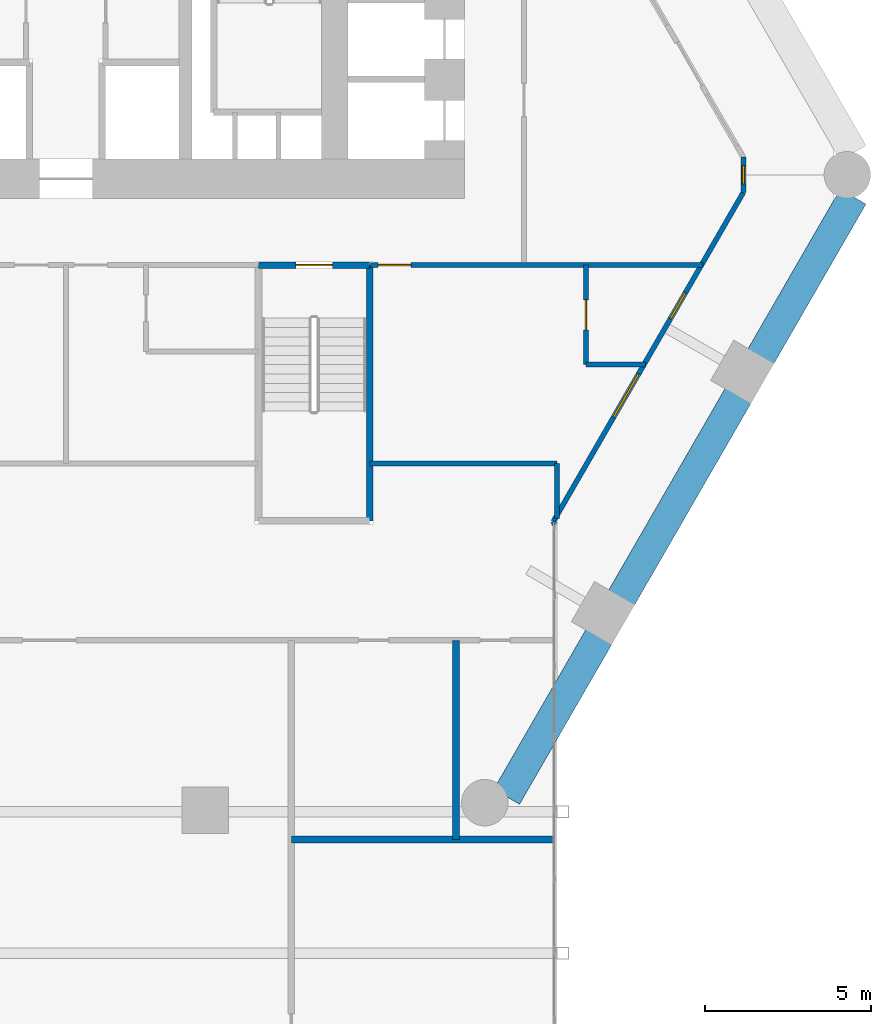
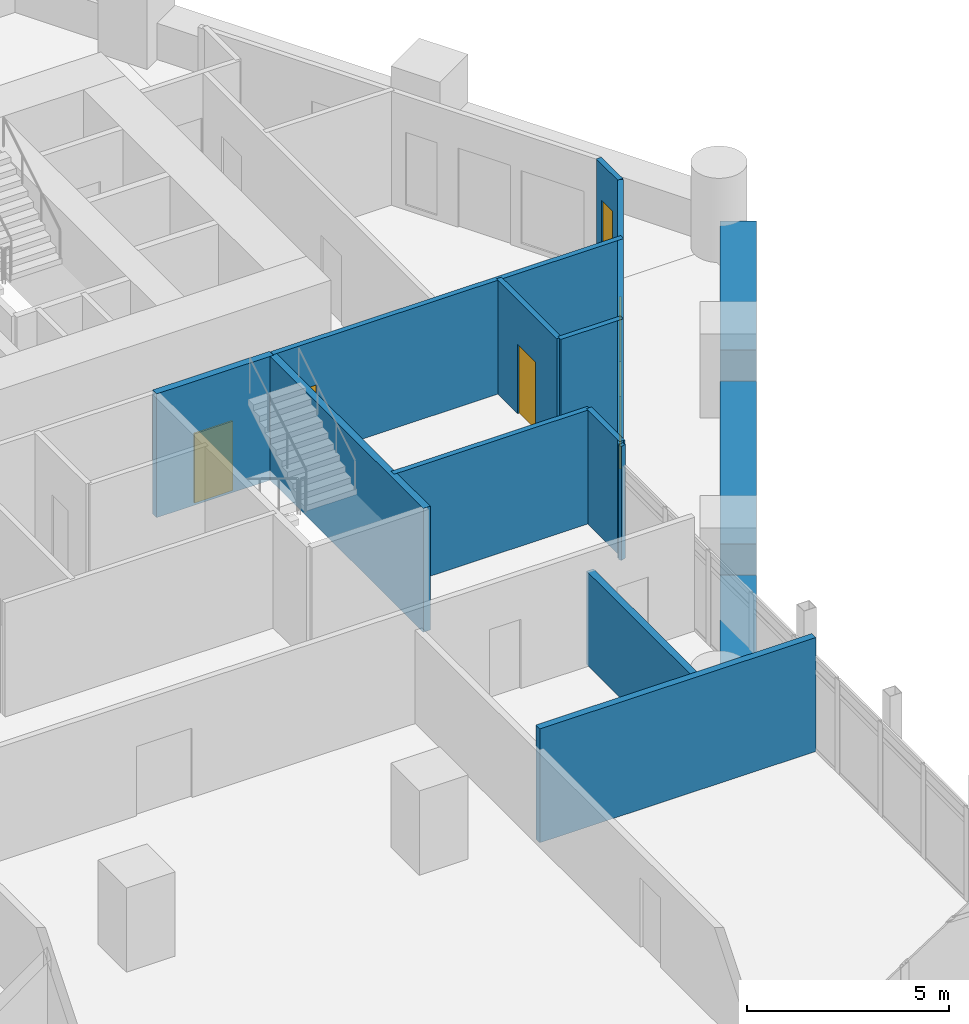
# One storey, part 24 of 28: 15 walls, 3 doors, 3 windows, 6 openings.
"""IFC4 building model written with IfcOpenShell, lengths in metres."""

from ifc_helpers import new_model, si_unit, direction, frame, frame_2d, origin, place, context, subcontext, project, spatial, rectangle, extrude, material, layer, layer_set, type_object, element, fill, save


model = new_model("IFC4")

# Units and contexts
model_context = context("Model", 3, precision=1e-05, world=origin(), true_north=direction((0.0, 1.0)))
body_context = subcontext(model_context, "Body", "Model", "MODEL_VIEW")
ifc_project = project(units=[si_unit("LENGTHUNIT", "METRE"), si_unit("AREAUNIT", "SQUARE_METRE"), si_unit("VOLUMEUNIT", "CUBIC_METRE"), si_unit("PLANEANGLEUNIT", "RADIAN"), si_unit("MASSUNIT", "GRAM", prefix="KILO")], contexts=[model_context])

# Site, building, storey
site_placement = place(None, origin())
site = spatial("IfcSite", under=ifc_project, at=site_placement, CompositionType="ELEMENT")
building_placement = place(site_placement, origin())
building = spatial("IfcBuilding", under=site, at=building_placement, Name="Ostrander Bayou Hotel Tower", CompositionType="ELEMENT")
storey_placement = place(building_placement, frame((0.0, 0.0, 76.75)))
storey = spatial("IfcBuildingStorey", under=building, at=storey_placement, Name="L19", CompositionType="ELEMENT", Elevation=76.75)

# Wall, openings, windows
ifc_material_1 = material(Name="Aluminium framed insulated wall", Category="aluminium")
ifc_layer_1 = layer(ifc_material_1, 0.14990234375)
ifc_layer_set_1 = layer_set([ifc_layer_1], Name="GW1 glass-line wall 150 mm")
wall_type_1 = type_object("IfcWallType", Name="GW1 glass-line wall 150 mm", PredefinedType="SOLIDWALL", material=ifc_layer_set_1)
wall_1_placement = place(storey_placement, frame((14.678955078125, -11.42529296875, 0.0), z_axis=(0.0, 0.0, 1.0), x_axis=(0.499991453095, 0.866030338286, 0.0)))
wall_1 = element("IfcWall", 1, at=wall_1_placement, inside=storey, type_object=wall_type_1, Name="GW1 L19 SE 1", PredefinedType="SOLIDWALL", context=body_context, shape_type="SweptSolid", body=[
    extrude(rectangle(XDim=11.444091796875, YDim=0.14990234375, at=frame_2d((5.72216796875, 0.0))), origin(), (0.0, 0.0, 1.0), 3.449951171875),
])
opening_1_placement = place(wall_1_placement, frame((3.63232421875, 0.0, 0.14990234375)))
opening_1 = element("IfcOpeningElement", 2, at=opening_1_placement, cuts=wall_1, Name="Opening W11", PredefinedType="OPENING", context=body_context, shape_type="SweptSolid", body=[
    extrude(rectangle(XDim=1.5, YDim=2.199951171875, at=frame_2d((0.75, 1.10009765625))), frame((0.0, 0.074951171875, 0.0), z_axis=(0.0, -1.0, 0.0), x_axis=(1.0, 0.0, 0.0)), (0.0, 0.0, 1.0), 0.14990234375),
])
opening_2_placement = place(wall_1_placement, frame((7.05517578125, 0.0, 0.14990234375)))
opening_2 = element("IfcOpeningElement", 3, at=opening_2_placement, cuts=wall_1, Name="Opening W15", PredefinedType="OPENING", context=body_context, shape_type="SweptSolid", body=[
    extrude(rectangle(XDim=0.89990234375, YDim=2.199951171875, at=frame_2d((0.449951171875, 1.10009765625))), frame((0.0, 0.074951171875, 0.0), z_axis=(0.0, -1.0, 0.0), x_axis=(1.0, 0.0, 0.0)), (0.0, 0.0, 1.0), 0.14990234375),
])
ifc_material_2 = material(Name="Aluminium and clear glass", Category="aluminium")
window_type_1 = type_object("IfcWindowType", Name="W11 fixed window 1500 mm, bath bay, zone 1", PartitioningType="SINGLE_PANEL", PredefinedType="WINDOW", material=ifc_material_2)
window_1_placement = place(opening_1_placement, origin())
window_1 = element("IfcWindow", 4, at=window_1_placement, inside=storey, type_object=window_type_1, Name="W11 L19 SE 3", OverallHeight=2.199951171875, OverallWidth=1.5, PartitioningType="SINGLE_PANEL", PredefinedType="WINDOW", context=body_context, shape_type="SweptSolid", body=[
    extrude(rectangle(XDim=1.5, YDim=2.199951171875, at=frame_2d((0.75, 1.10009765625))), frame((0.0, 0.030029296875, 0.0), z_axis=(0.0, -1.0, 0.0), x_axis=(1.0, 0.0, 0.0)), (0.0, 0.0, 1.0), 0.06005859375),
])
fill(opening_1, window_1)
ifc_material_3 = material(Name="Aluminium and clear glass", Category="aluminium")
window_type_2 = type_object("IfcWindowType", Name="W15 window 900 mm, zone 1", PartitioningType="SINGLE_PANEL", PredefinedType="WINDOW", material=ifc_material_3)
window_2_placement = place(opening_2_placement, origin())
window_2 = element("IfcWindow", 5, at=window_2_placement, inside=storey, type_object=window_type_2, Name="W15 L19 SE 4", OverallHeight=2.199951171875, OverallWidth=0.89990234375, PartitioningType="SINGLE_PANEL", PredefinedType="WINDOW", context=body_context, shape_type="SweptSolid", body=[
    extrude(rectangle(XDim=0.89990234375, YDim=2.199951171875, at=frame_2d((0.449951171875, 1.10009765625))), frame((0.0, 0.030029296875, 0.0), z_axis=(0.0, -1.0, 0.0), x_axis=(1.0, 0.0, 0.0)), (0.0, 0.0, 1.0), 0.06005859375),
])
fill(opening_2, window_2)

# Wall, opening, window
wall_2_placement = place(storey_placement, frame((20.40087890625, -1.514404296875, 0.0), z_axis=(0.0, 0.0, 1.0), x_axis=(0.0, 1.0, 0.0)))
wall_2 = element("IfcWall", 6, at=wall_2_placement, inside=storey, type_object=wall_type_1, Name="GW1 L19 corner 5", PredefinedType="SOLIDWALL", context=body_context, shape_type="SweptSolid", body=[
    extrude(rectangle(XDim=1.06494140625, YDim=0.14990234375, at=frame_2d((0.532470703125, 0.0))), origin(), (0.0, 0.0, 1.0), 3.449951171875),
])
opening_3_placement = place(wall_2_placement, frame((0.257568359375, 0.0, 0.14990234375)))
opening_3 = element("IfcOpeningElement", 7, at=opening_3_placement, cuts=wall_2, Name="Opening W19", PredefinedType="OPENING", context=body_context, shape_type="SweptSolid", body=[
    extrude(rectangle(XDim=0.550048828125, YDim=2.199951171875, at=frame_2d((0.27490234375, 1.10009765625))), frame((0.0, 0.074951171875, 0.0), z_axis=(0.0, -1.0, 0.0), x_axis=(1.0, 0.0, 0.0)), (0.0, 0.0, 1.0), 0.14990234375),
])
ifc_material_4 = material(Name="Aluminium and clear glass", Category="aluminium")
window_type_3 = type_object("IfcWindowType", Name="W19 corner window 550 mm", PartitioningType="SINGLE_PANEL", PredefinedType="WINDOW", material=ifc_material_4)
window_3_placement = place(opening_3_placement, origin())
window_3 = element("IfcWindow", 8, at=window_3_placement, inside=storey, type_object=window_type_3, Name="W19 L19 corner 5", OverallHeight=2.199951171875, OverallWidth=0.550048828125, PartitioningType="SINGLE_PANEL", PredefinedType="WINDOW", context=body_context, shape_type="SweptSolid", body=[
    extrude(rectangle(XDim=0.550048828125, YDim=2.199951171875, at=frame_2d((0.27490234375, 1.10009765625))), frame((0.0, 0.030029296875, 0.0), z_axis=(0.0, -1.0, 0.0), x_axis=(1.0, 0.0, 0.0)), (0.0, 0.0, 1.0), 0.06005859375),
])
fill(opening_3, window_3)

# Walls
wall_3_placement = place(storey_placement, frame((14.678955078125, -11.42529296875, 0.0), z_axis=(0.0, 0.0, 1.0), x_axis=(0.338543167143, -0.940950861619, 0.0)))
element("IfcWall", 9, at=wall_3_placement, inside=storey, type_object=wall_type_1, Name="GW1 L19 bar joint 2", PredefinedType="SOLIDWALL", context=body_context, shape_type="SweptSolid", body=[
    extrude(rectangle(XDim=0.09814453125, YDim=0.14990234375, at=frame_2d((0.049072265625, 0.0))), origin(), (0.0, 0.0, 1.0), 3.449951171875),
])
ifc_material_5 = material(Name="Limestone masonry", Category="masonry")
ifc_layer_2 = layer(ifc_material_5, 0.89990234375)
ifc_layer_set_2 = layer_set([ifc_layer_2], Name="PA2 limestone parapet 900 mm")
wall_type_2 = type_object("IfcWallType", Name="PA2 limestone parapet 900 mm", PredefinedType="PARAPET", material=ifc_layer_set_2)
wall_4_placement = place(storey_placement, frame((13.272216796875, -19.712158203125, 0.0), z_axis=(0.0, 0.0, 1.0), x_axis=(0.499976681983, 0.866038866029, 0.0)))
element("IfcWall", 10, at=wall_4_placement, inside=storey, type_object=wall_type_2, Name="PA2 L19 SE-1", PredefinedType="PARAPET", context=body_context, shape_type="SweptSolid", body=[
    extrude(rectangle(XDim=5.569580078125, YDim=0.89990234375, at=frame_2d((2.78466796875, 0.0))), origin(), (0.0, 0.0, 1.0), 1.10009765625),
])
wall_5_placement = place(storey_placement, frame((16.726806640625, -13.72802734375, 0.0), z_axis=(0.0, 0.0, 1.0), x_axis=(0.499997206141, 0.866027016814, 0.0)))
element("IfcWall", 11, at=wall_5_placement, inside=storey, type_object=wall_type_2, Name="PA2 L19 SE-2", PredefinedType="PARAPET", context=body_context, shape_type="SweptSolid", body=[
    extrude(rectangle(XDim=7.05078125, YDim=0.89990234375, at=frame_2d((3.525390625, 0.0))), origin(), (0.0, 0.0, 1.0), 1.10009765625),
])
wall_6_placement = place(storey_placement, frame((20.92236328125, -6.46142578125, 0.0), z_axis=(0.0, 0.0, 1.0), x_axis=(0.500009557824, 0.866019885502, 0.0)))
element("IfcWall", 12, at=wall_6_placement, inside=storey, type_object=wall_type_2, Name="PA2 L19 SE-3", PredefinedType="PARAPET", context=body_context, shape_type="SweptSolid", body=[
    extrude(rectangle(XDim=5.56982421875, YDim=0.89990234375, at=frame_2d((2.784912109375, 0.0))), origin(), (0.0, 0.0, 1.0), 1.10009765625),
])
ifc_material_6 = material(Name="Gypsum board partition", Category="finish")
ifc_layer_3 = layer(ifc_material_6, 0.199951171875)
ifc_layer_set_3 = layer_set([ifc_layer_3], Name="PT3 demising wall 200 mm acoustic double stud, 1 hour")
wall_type_3 = type_object("IfcWallType", Name="PT3 demising wall 200 mm acoustic double stud, 1 hour", PredefinedType="PARTITIONING", material=ifc_layer_set_3)
wall_7_placement = place(storey_placement, frame((6.787109375, -21.0, 0.0), z_axis=(0.0, 0.0, 1.0), x_axis=(1.0, 0.0, 0.0)))
element("IfcWall", 13, at=wall_7_placement, inside=storey, type_object=wall_type_3, Name="sw:L19:504", PredefinedType="PARTITIONING", context=body_context, shape_type="SweptSolid", body=[
    extrude(rectangle(XDim=7.906005859375, YDim=0.199951171875, at=frame_2d((3.953125, 0.0))), origin(), (0.0, 0.0, 1.0), 3.449951171875),
])
wall_8_placement = place(storey_placement, frame((11.7470703125, -21.0, 0.0), z_axis=(0.0, 0.0, 1.0), x_axis=(0.0, 1.0, 0.0)))
element("IfcWall", 14, at=wall_8_placement, inside=storey, type_object=wall_type_3, Name="sw:L19:511", PredefinedType="PARTITIONING", context=body_context, shape_type="SweptSolid", body=[
    extrude(rectangle(XDim=6.0, YDim=0.199951171875, at=frame_2d((3.0, 0.0))), origin(), (0.0, 0.0, 1.0), 2.828125),
])
ifc_material_7 = material(Name="Gypsum board partition", Category="finish")
ifc_layer_4 = layer(ifc_material_7, 0.14990234375)
ifc_layer_set_4 = layer_set([ifc_layer_4], Name="PT8 service band wall 150 mm, 1 hour")
wall_type_4 = type_object("IfcWallType", Name="PT8 service band wall 150 mm, 1 hour", PredefinedType="PARTITIONING", material=ifc_layer_set_4)
wall_9_placement = place(storey_placement, frame((9.159912109375, -9.679931640625, 0.0), z_axis=(0.0, 0.0, 1.0), x_axis=(1.0, 0.0, 0.0)))
element("IfcWall", 15, at=wall_9_placement, inside=storey, type_object=wall_type_4, Name="gw:L19:003", PredefinedType="PARTITIONING", context=body_context, shape_type="SweptSolid", body=[
    extrude(rectangle(XDim=5.625, YDim=0.14990234375, at=frame_2d((2.8125, 0.0))), origin(), (0.0, 0.0, 1.0), 3.449951171875),
])
wall_10_placement = place(storey_placement, frame((15.659912109375, -6.699951171875, 0.0), z_axis=(0.0, 0.0, 1.0), x_axis=(1.0, 0.0, 0.0)))
element("IfcWall", 16, at=wall_10_placement, inside=storey, type_object=wall_type_4, Name="gw:L19:005", PredefinedType="PARTITIONING", context=body_context, shape_type="SweptSolid", body=[
    extrude(rectangle(XDim=1.799072265625, YDim=0.14990234375, at=frame_2d((0.8994140625, 0.0))), origin(), (0.0, 0.0, 1.0), 3.449951171875),
])

# Wall, opening, door
wall_11_placement = place(storey_placement, frame((9.159912109375, -3.699951171875, 0.0), z_axis=(0.0, 0.0, 1.0), x_axis=(1.0, 0.0, 0.0)))
wall_11 = element("IfcWall", 17, at=wall_11_placement, inside=storey, type_object=wall_type_4, Name="gw:L19:010", PredefinedType="PARTITIONING", context=body_context, shape_type="SweptSolid", body=[
    extrude(rectangle(XDim=10.031005859375, YDim=0.14990234375, at=frame_2d((5.015625, 0.0))), origin(), (0.0, 0.0, 1.0), 3.449951171875),
])
opening_4_placement = place(wall_11_placement, frame((0.239990234375, 0.0, 0.0)))
opening_4 = element("IfcOpeningElement", 18, at=opening_4_placement, cuts=wall_11, Name="Opening T18-405", PredefinedType="OPENING", context=body_context, shape_type="SweptSolid", body=[
    extrude(rectangle(XDim=1.0, YDim=2.10009765625, at=frame_2d((0.5, 1.050048828125))), frame((0.0, 0.074951171875, 0.0), z_axis=(0.0, -1.0, 0.0), x_axis=(1.0, 0.0, 0.0)), (0.0, 0.0, 1.0), 0.14990234375),
])
ifc_material_8 = material(Name="Timber door leaf", Category="wood")
door_type_1 = type_object("IfcDoorType", Name="D1 guest room door 1000 x 2100 mm, 30 minute", OperationType="SINGLE_SWING_LEFT", PredefinedType="DOOR", material=ifc_material_8)
door_1_placement = place(opening_4_placement, origin())
door_1 = element("IfcDoor", 19, at=door_1_placement, inside=storey, type_object=door_type_1, Name="dr:L19:405", OperationType="SINGLE_SWING_LEFT", OverallHeight=2.10009765625, OverallWidth=1.0, PredefinedType="DOOR", context=body_context, shape_type="SweptSolid", body=[
    extrude(rectangle(XDim=1.0, YDim=2.10009765625, at=frame_2d((0.5, 1.050048828125))), frame((0.0, 0.02490234375, 0.0), z_axis=(0.0, -1.0, 0.0), x_axis=(1.0, 0.0, 0.0)), (0.0, 0.0, 1.0), 0.050048828125),
])
fill(opening_4, door_1)

wall_12_placement = place(storey_placement, frame((15.659912109375, -6.699951171875, 0.0), z_axis=(0.0, 0.0, 1.0), x_axis=(0.0, 1.0, 0.0)))
wall_12 = element("IfcWall", 20, at=wall_12_placement, inside=storey, type_object=wall_type_4, Name="gw:L19:016", PredefinedType="PARTITIONING", context=body_context, shape_type="SweptSolid", body=[
    extrude(rectangle(XDim=3.0, YDim=0.14990234375, at=frame_2d((1.5, 0.0))), origin(), (0.0, 0.0, 1.0), 3.449951171875),
])
opening_5_placement = place(wall_12_placement, frame((1.050048828125, 0.0, 0.0)))
opening_5 = element("IfcOpeningElement", 21, at=opening_5_placement, cuts=wall_12, Name="Opening T18-406", PredefinedType="OPENING", context=body_context, shape_type="SweptSolid", body=[
    extrude(rectangle(XDim=0.89990234375, YDim=2.10009765625, at=frame_2d((0.449951171875, 1.050048828125))), frame((0.0, 0.074951171875, 0.0), z_axis=(0.0, -1.0, 0.0), x_axis=(1.0, 0.0, 0.0)), (0.0, 0.0, 1.0), 0.14990234375),
])
ifc_material_9 = material(Name="Timber door leaf", Category="wood")
door_type_2 = type_object("IfcDoorType", Name="D14 bathroom door 900 x 2100 mm", OperationType="SINGLE_SWING_LEFT", PredefinedType="DOOR", material=ifc_material_9)
door_2_placement = place(opening_5_placement, origin())
door_2 = element("IfcDoor", 22, at=door_2_placement, inside=storey, type_object=door_type_2, Name="dr:L19:406", OperationType="SINGLE_SWING_RIGHT", OverallHeight=2.10009765625, OverallWidth=0.89990234375, PredefinedType="DOOR", context=body_context, shape_type="SweptSolid", body=[
    extrude(rectangle(XDim=0.89990234375, YDim=2.10009765625, at=frame_2d((0.449951171875, 1.050048828125))), frame((0.0, 0.02490234375, 0.0), z_axis=(0.0, -1.0, 0.0), x_axis=(1.0, 0.0, 0.0)), (0.0, 0.0, 1.0), 0.050048828125),
])
fill(opening_5, door_2)

# Wall
wall_13_placement = place(storey_placement, frame((14.784912109375, -11.33203125, 0.0), z_axis=(0.0, 0.0, 1.0), x_axis=(0.0, 1.0, 0.0)))
element("IfcWall", 23, at=wall_13_placement, inside=storey, type_object=wall_type_4, Name="gw:L19:017", PredefinedType="PARTITIONING", context=body_context, shape_type="SweptSolid", body=[
    extrude(rectangle(XDim=1.652099609375, YDim=0.14990234375, at=frame_2d((0.826171875, 0.0))), origin(), (0.0, 0.0, 1.0), 3.449951171875),
])

# Wall, opening, door
ifc_material_10 = material(Name="Concrete f'c 45 MPa", Category="concrete")
ifc_layer_5 = layer(ifc_material_10, 0.199951171875)
ifc_layer_set_5 = layer_set([ifc_layer_5], Name="SW5 stair enclosure wall 200 mm f'c 45 MPa")
wall_type_5 = type_object("IfcWallType", Name="SW5 stair enclosure wall 200 mm f'c 45 MPa", PredefinedType="SOLIDWALL", material=ifc_layer_set_5)
wall_14_placement = place(storey_placement, frame((5.800048828125, -3.699951171875, -0.300048828125), z_axis=(0.0, 0.0, 1.0), x_axis=(1.0, 0.0, 0.0)))
wall_14 = element("IfcWall", 24, at=wall_14_placement, inside=storey, type_object=wall_type_5, Name="cs:L19:017", PredefinedType="SOLIDWALL", context=body_context, shape_type="SweptSolid", body=[
    extrude(rectangle(XDim=3.349853515625, YDim=0.199951171875, at=frame_2d((1.6748046875, 0.0))), origin(), (0.0, 0.0, 1.0), 3.75),
])
opening_6_placement = place(wall_14_placement, frame((1.125, 0.0, 0.0)))
opening_6 = element("IfcOpeningElement", 25, at=opening_6_placement, cuts=wall_14, Name="Opening T18-007", PredefinedType="OPENING", context=body_context, shape_type="SweptSolid", body=[
    extrude(rectangle(XDim=1.10009765625, YDim=2.10009765625, at=frame_2d((0.550048828125, 1.050048828125))), frame((0.0, 0.10009765625, 0.0), z_axis=(0.0, -1.0, 0.0), x_axis=(1.0, 0.0, 0.0)), (0.0, 0.0, 1.0), 0.199951171875),
])
ifc_material_11 = material(Name="Timber door leaf", Category="wood")
door_type_3 = type_object("IfcDoorType", Name="D5 stair door 1100 x 2100 mm, 90 minute", OperationType="SINGLE_SWING_LEFT", PredefinedType="DOOR", material=ifc_material_11)
door_3_placement = place(opening_6_placement, origin())
door_3 = element("IfcDoor", 26, at=door_3_placement, inside=storey, type_object=door_type_3, Name="dr:L19:007", OperationType="SINGLE_SWING_LEFT", OverallHeight=2.10009765625, OverallWidth=1.10009765625, PredefinedType="DOOR", context=body_context, shape_type="SweptSolid", body=[
    extrude(rectangle(XDim=1.10009765625, YDim=2.10009765625, at=frame_2d((0.550048828125, 1.050048828125))), frame((0.0, 0.02490234375, 0.0), z_axis=(0.0, -1.0, 0.0), x_axis=(1.0, 0.0, 0.0)), (0.0, 0.0, 1.0), 0.050048828125),
])
fill(opening_6, door_3)

# Wall
wall_15_placement = place(storey_placement, frame((9.14990234375, -3.699951171875, -0.300048828125), z_axis=(0.0, 0.0, 1.0), x_axis=(0.0, -1.0, 0.0)))
element("IfcWall", 27, at=wall_15_placement, inside=storey, type_object=wall_type_5, Name="cs:L19:019", PredefinedType="SOLIDWALL", context=body_context, shape_type="SweptSolid", body=[
    extrude(rectangle(XDim=7.699951171875, YDim=0.199951171875, at=frame_2d((3.85009765625, 0.0))), origin(), (0.0, 0.0, 1.0), 3.75),
])

save(model, "model.ifc")
